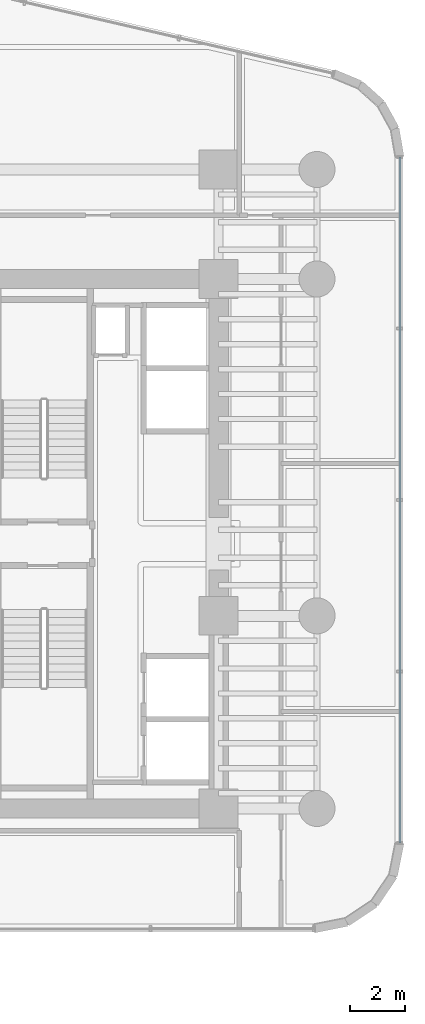
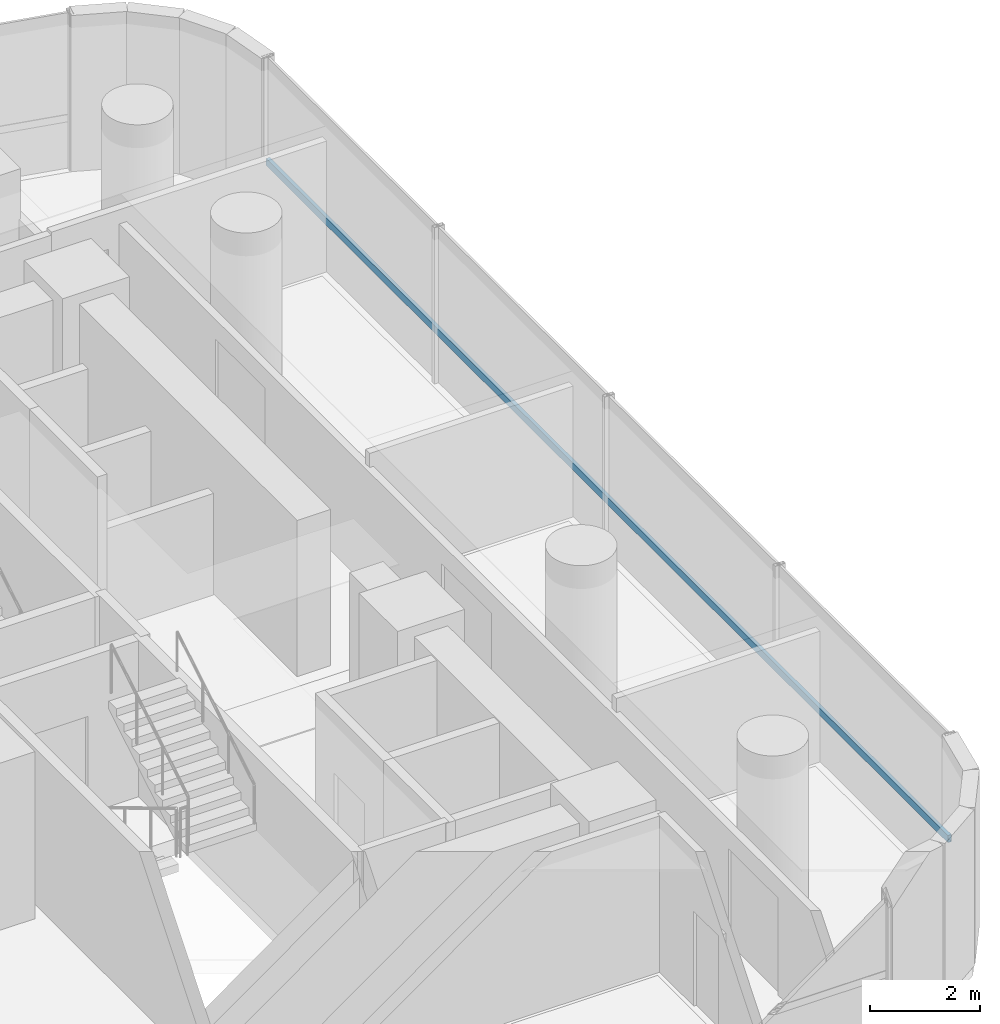
# One storey, part 27 of 40: 1 member, 1 element without a shape of its own.
"""IFC4 building model written with IfcOpenShell, lengths in metres."""

from ifc_helpers import new_model, si_unit, direction, frame, origin, origin_2d, place, context, subcontext, project, spatial, hollow_rectangle, extrude, source, transform, mapped, material, material_profile, profile_set, type_object, element, aggregate, save


model = new_model("IFC4")

# Units and contexts
model_context = context("Model", 3, precision=1e-05, world=origin(), true_north=direction((0.0, 1.0)))
body_context = subcontext(model_context, "Body", "Model", "MODEL_VIEW")
ifc_project = project(units=[si_unit("LENGTHUNIT", "METRE"), si_unit("AREAUNIT", "SQUARE_METRE"), si_unit("VOLUMEUNIT", "CUBIC_METRE"), si_unit("PLANEANGLEUNIT", "RADIAN"), si_unit("MASSUNIT", "GRAM", prefix="KILO")], contexts=[model_context])

# Site, building, storey
site_placement = place(None, origin())
site = spatial("IfcSite", under=ifc_project, at=site_placement, CompositionType="ELEMENT")
building_placement = place(site_placement, origin())
building = spatial("IfcBuilding", under=site, at=building_placement, Name="Valdorenza Pilgrim Sanctuary Tower", CompositionType="ELEMENT")
storey_placement = place(building_placement, frame((0.0, 0.0, 81.5)))
storey = spatial("IfcBuildingStorey", under=building, at=storey_placement, Name="L20", CompositionType="ELEMENT", Elevation=81.5)

# Curtain wall, member
ifc_material_1 = material(Name="Curtain-wall IGU glazing", Category="glass")
curtain_wall_type = type_object("IfcCurtainWallType", Name="CW-SYS-03", PredefinedType="NOTDEFINED", material=ifc_material_1)
curtain_wall_placement = place(storey_placement, origin())
curtain_wall = element("IfcCurtainWall", 1, at=curtain_wall_placement, inside=storey, type_object=curtain_wall_type, Name="L20 Curtain Wall CW-L20-1-21", PredefinedType="NOTDEFINED")
ifc_material_2 = material(Name="Anodised aluminium AW-6060", Category="aluminium")
ifc_material_profile = material_profile(ifc_material_2, hollow_rectangle(XDim=0.074951171875, YDim=0.159912109375, WallThickness=0.00390625, at=origin_2d()), Name="ALU-T 160x75x4")
ifc_profile_set = profile_set([ifc_material_profile], Name="Anodised aluminium AW-6060")
member_type = type_object("IfcMemberType", Name="CW-TRN-03", PredefinedType="USERDEFINED", material=ifc_profile_set)
shared_shape = source(origin(), body_context, "Body", "SweptSolid", [
    extrude(hollow_rectangle(XDim=0.074951171875, YDim=0.159912109375, WallThickness=0.00390625, at=origin_2d()), origin(), (0.0, 0.0, 1.0), 24.734375),
])
member_placement = place(storey_placement, frame((31.389892578125, 13.945068359375, 1.1201171875), z_axis=(0.0, -1.0, 0.0), x_axis=(1.0, 0.0, 0.0)))
member = element("IfcMember", 2, at=member_placement, type_object=member_type, Name="CW-L20-1-21 Transom 1", ObjectType="TRANSOM", PredefinedType="USERDEFINED", context=body_context, shape_type="MappedRepresentation", body=[
    mapped(shared_shape, transform((0.0, 0.0, 0.0), x_axis=(1.0, 0.0, 0.0), y_axis=(0.0, 1.0, 0.0), z_axis=(0.0, 0.0, 1.0), scale=1.0)),
])
aggregate(curtain_wall, [member])

save(model, "model.ifc")
